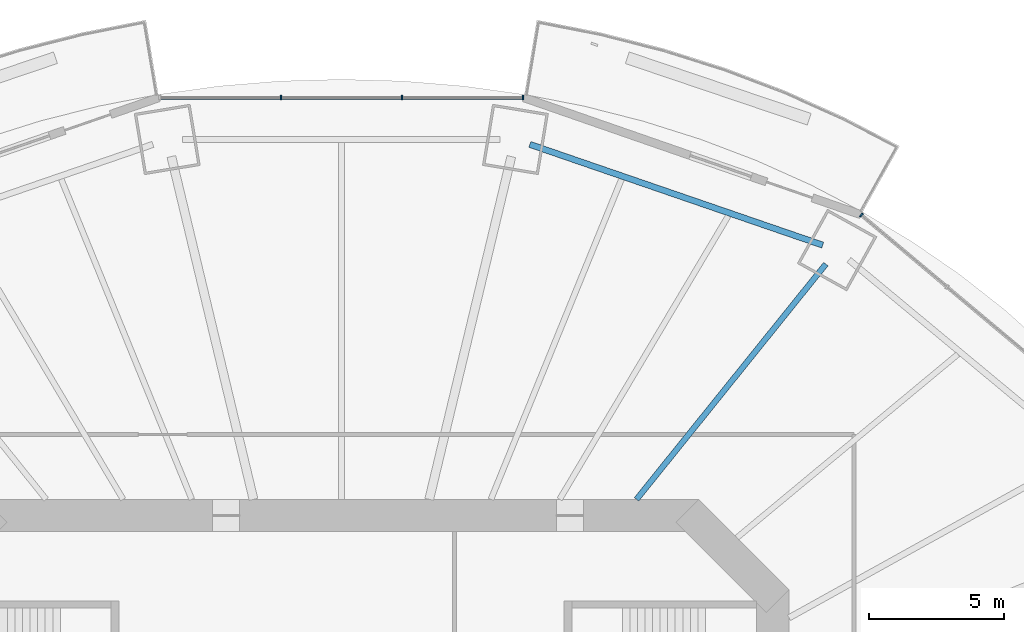
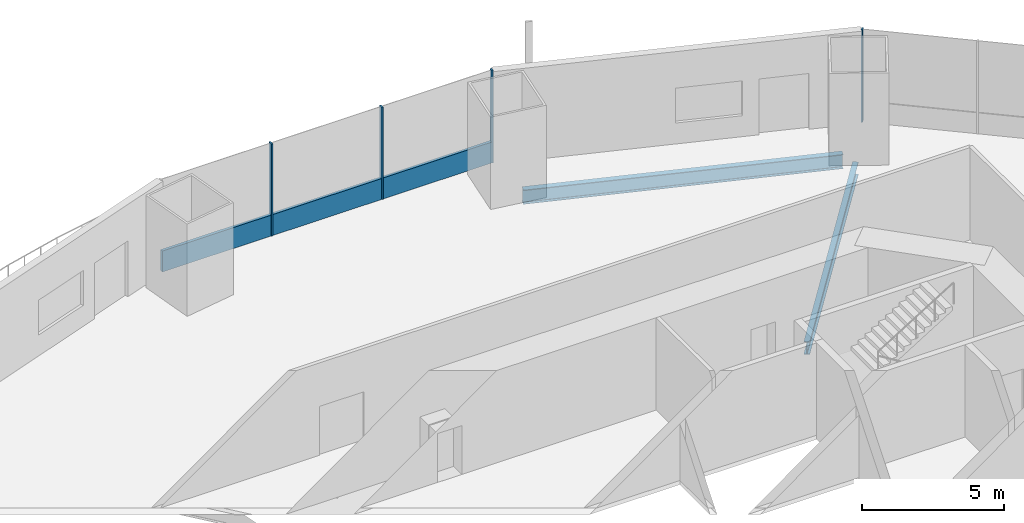
# One storey, part 9 of 22: 5 members, 2 beams, 2 elements without a shape of their own.
"""IFC4 building model written with IfcOpenShell, lengths in metres."""

import ifcopenshell
import ifcopenshell.guid

model = None  # the IFC model being written
_history = None  # IfcOwnerHistory: only IFC2X3 demands one
_inside = {}  # id of a spatial element -> (the spatial element, [elements in it])
_under = {}  # id of a project, library or spatial element -> (it, [spatial elements below it])
_declared = {}  # id of a project -> (the project, [libraries it declares])
_typed = {}  # id of a type object -> (the type object, [elements of that type])
_made_of = {}  # id of a material, layer set ... -> (it, [elements and type objects made of it])


def new_model(schema):
    """Start an empty IFC model of exactly this schema.

    Asked for "IFC4X3", IfcOpenShell would pick the latest addendum, in which some entities
    have other attributes; the version numbers below select the first issue.
    IFC2X3 requires an IfcOwnerHistory on every rooted entity: one is made here for all.
    """
    global model, _history
    if schema == "IFC4X3":
        model = ifcopenshell.file(schema_version=(4, 3, 0, 0))
    else:
        model = ifcopenshell.file(schema=schema)
    _inside.clear()
    _under.clear()
    _declared.clear()
    _typed.clear()
    _made_of.clear()
    _history = None
    if model.schema == "IFC2X3":
        org = make("IfcOrganization", Name="unknown")
        user = make(
            "IfcPersonAndOrganization",
            ThePerson=make("IfcPerson", FamilyName="unknown"),
            TheOrganization=org,
        )
        app = make(
            "IfcApplication",
            ApplicationDeveloper=org,
            Version="unknown",
            ApplicationFullName="unknown",
            ApplicationIdentifier="unknown",
        )
        _history = make(
            "IfcOwnerHistory",
            OwningUser=user,
            OwningApplication=app,
            ChangeAction="ADDED",
            CreationDate=0,
        )
    return model


def make(cls, **values):
    """One entity of the class cls with the attributes given. An attribute that is None is left unset."""
    return model.create_entity(
        cls, **{name: value for name, value in values.items() if value is not None}
    )


def rooted(cls, **values):
    """An entity with a GlobalId (a new one), such as an element, a storey or a relation."""
    return make(cls, GlobalId=ifcopenshell.guid.new(), OwnerHistory=_history, **values)


def si_unit(unit_type, name, prefix=None):
    """IfcSIUnit, for example si_unit("LENGTHUNIT", "METRE", prefix="MILLI")."""
    return make("IfcSIUnit", UnitType=unit_type, Prefix=prefix, Name=name)


def assignment(units):
    """IfcUnitAssignment: the units of a project."""
    return None if units is None else make("IfcUnitAssignment", Units=units)


def point(xyz):
    """IfcCartesianPoint."""
    return None if xyz is None else make("IfcCartesianPoint", Coordinates=xyz)


def direction(xyz):
    """IfcDirection."""
    return None if xyz is None else make("IfcDirection", DirectionRatios=xyz)


def frame(location, z_axis=None, x_axis=None):
    """IfcAxis2Placement3D, a coordinate frame: its origin and axes. An axis left out is left unset."""
    return make(
        "IfcAxis2Placement3D",
        Location=point(location),
        Axis=direction(z_axis),
        RefDirection=direction(x_axis),
    )


def frame_2d(location, x_axis=None):
    """IfcAxis2Placement2D, a coordinate frame in the plane: its origin and x axis."""
    return make(
        "IfcAxis2Placement2D", Location=point(location), RefDirection=direction(x_axis)
    )


def origin():
    """The frame at (0, 0, 0) with its axes left unset."""
    return frame((0.0, 0.0, 0.0))


def origin_2d():
    """The frame at (0, 0) in the plane with its x axis left unset."""
    return frame_2d((0.0, 0.0))


def place(relative_to, where):
    """IfcLocalPlacement: puts the frame where relative to a parent placement (None: the world)."""
    return make(
        "IfcLocalPlacement", PlacementRelTo=relative_to, RelativePlacement=where
    )


def context(
    kind, dimensions, precision=None, world=None, true_north=None, identifier=None
):
    """IfcGeometricRepresentationContext, for example the 3D "Model" context."""
    return make(
        "IfcGeometricRepresentationContext",
        ContextIdentifier=identifier,
        ContextType=kind,
        CoordinateSpaceDimension=dimensions,
        Precision=precision,
        WorldCoordinateSystem=world,
        TrueNorth=true_north,
    )


def subcontext(parent, identifier, kind, view, scale=None):
    """IfcGeometricRepresentationSubContext, for example "Body" below "Model"."""
    return make(
        "IfcGeometricRepresentationSubContext",
        ContextIdentifier=identifier,
        ContextType=kind,
        ParentContext=parent,
        TargetScale=scale,
        TargetView=view,
    )


def project(units=None, contexts=None):
    """IfcProject with its units and contexts."""
    return rooted(
        "IfcProject",
        Name="project",
        RepresentationContexts=contexts,
        UnitsInContext=assignment(units),
    )


def spatial(cls, under=None, at=None, **own):
    """A site, building, storey or space (cls), placed at a placement, below another one or the project."""
    s = rooted(cls, ObjectPlacement=at, **own)
    if under is not None:
        _under.setdefault(under.id(), (under, []))[1].append(s)
    return s


def profile(cls, at=None, kind="AREA", **sizes):
    """A parametric profile (cls). Its sizes go by their IFC names, for example OverallWidth=200.0."""
    return make(cls, ProfileType=kind, Position=at, **sizes)


def rectangle(**sizes):
    """IfcRectangleProfileDef."""
    return profile("IfcRectangleProfileDef", **sizes)


def i_section(**sizes):
    """IfcIShapeProfileDef."""
    return profile("IfcIShapeProfileDef", **sizes)


def extrude(swept, where, along, depth):
    """IfcExtrudedAreaSolid: the profile swept, set in the frame where, extruded along a direction by depth."""
    return make(
        "IfcExtrudedAreaSolid",
        SweptArea=swept,
        Position=where,
        ExtrudedDirection=direction(along),
        Depth=depth,
    )


def shape(context_of_items, identifier, shape_type, items):
    """IfcShapeRepresentation: the items that make up one representation, for example the "Body"."""
    return make(
        "IfcShapeRepresentation",
        ContextOfItems=context_of_items,
        RepresentationIdentifier=identifier,
        RepresentationType=shape_type,
        Items=items,
    )


def material(Name=None, Category=None):
    """IfcMaterial."""
    return make("IfcMaterial", Name=Name, Category=Category)


def material_profile(
    of_material, cross_section, Name=None, Category=None, Priority=None
):
    """IfcMaterialProfile: a cross section and its material."""
    return make(
        "IfcMaterialProfile",
        Name=Name,
        Material=of_material,
        Profile=cross_section,
        Priority=Priority,
        Category=Category,
    )


def profile_set(profiles, Name=None, composite=None):
    """IfcMaterialProfileSet."""
    return make(
        "IfcMaterialProfileSet",
        Name=Name,
        MaterialProfiles=profiles,
        CompositeProfile=composite,
    )


def made_of(thing, what):
    """Note that an element or type object is made of a material, layer set ...; save() writes the relation."""
    if what is not None:
        _made_of.setdefault(what.id(), (what, []))[1].append(thing)
    return thing


def type_object(cls, material=None, **own):
    """A type object (cls), such as IfcWallType, which elements share."""
    return made_of(rooted(cls, **own), material)


def element(
    cls,
    number,
    at=None,
    inside=None,
    cuts=None,
    type_object=None,
    material=None,
    context=None,
    identifier="Body",
    shape_type=None,
    held_by="IfcProductDefinitionShape",
    body=None,
    shapes=None,
    **own,
):
    """One element of the class cls, such as IfcWall. Its Tag is "e" and its number.

    at: its placement. inside: the storey or other place that contains it. cuts: it is an
    opening in that element (IfcRelVoidsElement). A single representation is given by context,
    identifier, shape_type and body (its items); several are given by shapes. held_by: the class
    of the entity that holds the representations. save() writes the other relations.
    """
    e = rooted(cls, Tag="e%d" % number, ObjectPlacement=at, **own)
    if body is not None:
        shapes = [shape(context, identifier, shape_type, body)]
    if shapes is not None:
        e.Representation = make(held_by, Representations=shapes)
    if inside is not None:
        _inside.setdefault(inside.id(), (inside, []))[1].append(e)
    if cuts is not None:
        rooted(
            "IfcRelVoidsElement", RelatingBuildingElement=cuts, RelatedOpeningElement=e
        )
    if type_object is not None:
        _typed.setdefault(type_object.id(), (type_object, []))[1].append(e)
    return made_of(e, material)


def aggregate(whole, parts):
    """IfcRelAggregates: a whole, such as a stair, and the parts it consists of."""
    return rooted("IfcRelAggregates", RelatingObject=whole, RelatedObjects=parts)


def save(model, path):
    """Write the relations noted so far, then the file.

    IfcRelAggregates (storeys below a building ...), IfcRelContainedInSpatialStructure (elements
    in a storey), IfcRelDefinesByType, IfcRelAssociatesMaterial and IfcRelDeclares: one each for
    every whole, place, type object, material and project.
    """
    for whole, parts in _under.values():
        aggregate(whole, parts)
    for where, things in _inside.values():
        rooted(
            "IfcRelContainedInSpatialStructure",
            RelatedElements=things,
            RelatingStructure=where,
        )
    for kind, things in _typed.values():
        rooted("IfcRelDefinesByType", RelatedObjects=things, RelatingType=kind)
    for what, things in _made_of.values():
        rooted("IfcRelAssociatesMaterial", RelatedObjects=things, RelatingMaterial=what)
    for by, libraries in _declared.values():
        rooted("IfcRelDeclares", RelatingContext=by, RelatedDefinitions=libraries)
    model.write(path)


model = new_model("IFC4")

# Units and contexts
model_context = context("Model", 3, precision=1e-05, world=origin(), true_north=direction((0.0, 1.0)))
body_context = subcontext(model_context, "Body", "Model", "MODEL_VIEW")
ifc_project = project(units=[si_unit("LENGTHUNIT", "METRE"), si_unit("AREAUNIT", "SQUARE_METRE"), si_unit("VOLUMEUNIT", "CUBIC_METRE"), si_unit("PLANEANGLEUNIT", "RADIAN"), si_unit("MASSUNIT", "GRAM", prefix="KILO")], contexts=[model_context])

# Site, building, storey
site_placement = place(None, origin())
site = spatial("IfcSite", under=ifc_project, at=site_placement, CompositionType="ELEMENT")
building_placement = place(site_placement, origin())
building = spatial("IfcBuilding", under=site, at=building_placement, Name="Marenthal Gate Tower", CompositionType="ELEMENT")
storey_placement = place(building_placement, frame((0.0, 0.0, 95.25)))
storey = spatial("IfcBuildingStorey", under=building, at=storey_placement, Name="L19", CompositionType="ELEMENT", Elevation=95.25)

# Curtain wall, member
ifc_material_1 = material(Name="Aluminium and glass", Category="aluminium")
curtain_wall_type = type_object("IfcCurtainWallType", Name="Curtain wall typical low", PredefinedType="NOTDEFINED", material=ifc_material_1)
curtain_wall_1_placement = place(storey_placement, origin())
curtain_wall_1 = element("IfcCurtainWall", 1, at=curtain_wall_1_placement, inside=storey, type_object=curtain_wall_type, Name="Curtain wall L19 bay 2", PredefinedType="NOTDEFINED")
ifc_material_2 = material(Name="Aluminium", Category="aluminium")
ifc_material_profile_1 = material_profile(ifc_material_2, rectangle(XDim=0.159912109375, YDim=0.06005859375, at=origin_2d()), Name="60x160 aluminium mullion")
ifc_profile_set_1 = profile_set([ifc_material_profile_1], Name="Aluminium")
member_type_1 = type_object("IfcMemberType", Name="Mullion 60x160 typical low", PredefinedType="MULLION", material=ifc_profile_set_1)
member_1_placement = place(storey_placement, frame((19.283447265625, 24.137451171875, 0.0), z_axis=(0.0, 0.0, 1.0), x_axis=(-0.642307658805, -0.766446913648, 0.0)))
member_1 = element("IfcMember", 2, at=member_1_placement, type_object=member_type_1, Name="Mullion L19 bay 2.4", PredefinedType="MULLION", context=body_context, shape_type="SweptSolid", body=[
    extrude(rectangle(XDim=0.159912109375, YDim=0.06005859375, at=origin_2d()), origin(), (0.0, 0.0, 1.0), 3.969970703125),
])
aggregate(curtain_wall_1, [member_1])

# Curtain wall, members
curtain_wall_2_placement = place(storey_placement, origin())
curtain_wall_2 = element("IfcCurtainWall", 3, at=curtain_wall_2_placement, inside=storey, type_object=curtain_wall_type, Name="Curtain wall L19 bay 4", PredefinedType="NOTDEFINED")
member_2_placement = place(storey_placement, frame((6.7333984375, 28.494873046875, 0.0), z_axis=(0.0, 0.0, 1.0), x_axis=(0.0, -1.0, 0.0)))
member_2 = element("IfcMember", 4, at=member_2_placement, type_object=member_type_1, Name="Mullion L19 bay 4.1", PredefinedType="MULLION", context=body_context, shape_type="SweptSolid", body=[
    extrude(rectangle(XDim=0.159912109375, YDim=0.06005859375, at=origin_2d()), origin(), (0.0, 0.0, 1.0), 3.969970703125),
])
member_3_placement = place(storey_placement, frame((2.244384765625, 28.494873046875, 0.0), z_axis=(0.0, 0.0, 1.0), x_axis=(0.0, -1.0, 0.0)))
member_3 = element("IfcMember", 5, at=member_3_placement, type_object=member_type_1, Name="Mullion L19 bay 4.2", PredefinedType="MULLION", context=body_context, shape_type="SweptSolid", body=[
    extrude(rectangle(XDim=0.159912109375, YDim=0.06005859375, at=origin_2d()), origin(), (0.0, 0.0, 1.0), 3.969970703125),
])
member_4_placement = place(storey_placement, frame((-2.244384765625, 28.494873046875, 0.0), z_axis=(0.0, 0.0, 1.0), x_axis=(0.0, -1.0, 0.0)))
member_4 = element("IfcMember", 6, at=member_4_placement, type_object=member_type_1, Name="Mullion L19 bay 4.3", PredefinedType="MULLION", context=body_context, shape_type="SweptSolid", body=[
    extrude(rectangle(XDim=0.159912109375, YDim=0.06005859375, at=origin_2d()), origin(), (0.0, 0.0, 1.0), 3.969970703125),
])
ifc_material_3 = material(Name="Aluminium", Category="aluminium")
ifc_material_profile_2 = material_profile(ifc_material_3, rectangle(XDim=0.1201171875, YDim=0.89990234375, at=origin_2d()), Name="120x900 aluminium transom")
ifc_profile_set_2 = profile_set([ifc_material_profile_2], Name="Aluminium")
member_type_2 = type_object("IfcMemberType", Name="Transom 120x900 typical low", PredefinedType="USERDEFINED", material=ifc_profile_set_2)
member_5_placement = place(storey_placement, frame((6.703369140625, 28.494873046875, 0.449951171875), z_axis=(-1.0, 0.0, 0.0), x_axis=(0.0, -1.0, 0.0)))
member_5 = element("IfcMember", 7, at=member_5_placement, type_object=member_type_2, Name="Transom L19 bay 4", ObjectType="TRANSOM", PredefinedType="USERDEFINED", context=body_context, shape_type="SweptSolid", body=[
    extrude(rectangle(XDim=0.1201171875, YDim=0.89990234375, at=origin_2d()), origin(), (0.0, 0.0, 1.0), 13.40673828125),
])
aggregate(curtain_wall_2, [member_2, member_3, member_4, member_5])

# Beams
ifc_material_4 = material(Name="Steel S355", Category="steel")
ifc_material_profile_3 = material_profile(ifc_material_4, i_section(OverallWidth=0.2119140625, OverallDepth=0.5439453125, WebThickness=0.01318359375, FlangeThickness=0.021240234375, FilletRadius=0.0126953125, at=origin_2d()), Name="W530X123")
ifc_profile_set_3 = profile_set([ifc_material_profile_3], Name="Steel S355")
beam_type_1 = type_object("IfcBeamType", Name="W530X123 beam", PredefinedType="BEAM", material=ifc_profile_set_3)
beam_1_placement = place(storey_placement, frame((17.964599609375, 22.3232421875, -0.451904296875), z_axis=(-0.626952602909, -0.779057400777, 0.0), x_axis=(0.779057400777, -0.626952602909, 0.0)))
element("IfcBeam", 8, at=beam_1_placement, inside=storey, type_object=beam_type_1, Name="BM-L19-03", PredefinedType="BEAM", context=body_context, shape_type="SweptSolid", body=[
    extrude(i_section(OverallWidth=0.2119140625, OverallDepth=0.5439453125, WebThickness=0.01318359375, FlangeThickness=0.021240234375, FilletRadius=0.0126953125, at=origin_2d()), origin(), (0.0, 0.0, 1.0), 11.197021484375),
])
ifc_material_5 = material(Name="Steel S355", Category="steel")
ifc_material_profile_4 = material_profile(ifc_material_5, i_section(OverallWidth=0.22900390625, OverallDepth=0.612060546875, WebThickness=0.011962890625, FlangeThickness=0.01953125, FilletRadius=0.0126953125, at=origin_2d()), Name="W610X125")
ifc_profile_set_4 = profile_set([ifc_material_profile_4], Name="Steel S355")
beam_type_2 = type_object("IfcBeamType", Name="W610X125 beam", PredefinedType="BEAM", material=ifc_profile_set_4)
beam_2_placement = place(storey_placement, frame((17.84716796875, 23.027099609375, -0.486083984375), z_axis=(-0.945633885285, 0.325233077963, 0.0), x_axis=(-0.325233077963, -0.945633885285, 0.0)))
element("IfcBeam", 9, at=beam_2_placement, inside=storey, type_object=beam_type_2, Name="BM-L19-43", PredefinedType="BEAM", context=body_context, shape_type="SweptSolid", body=[
    extrude(i_section(OverallWidth=0.22900390625, OverallDepth=0.612060546875, WebThickness=0.011962890625, FlangeThickness=0.01953125, FilletRadius=0.0126953125, at=origin_2d()), origin(), (0.0, 0.0, 1.0), 11.482177734375),
])

save(model, "model.ifc")
